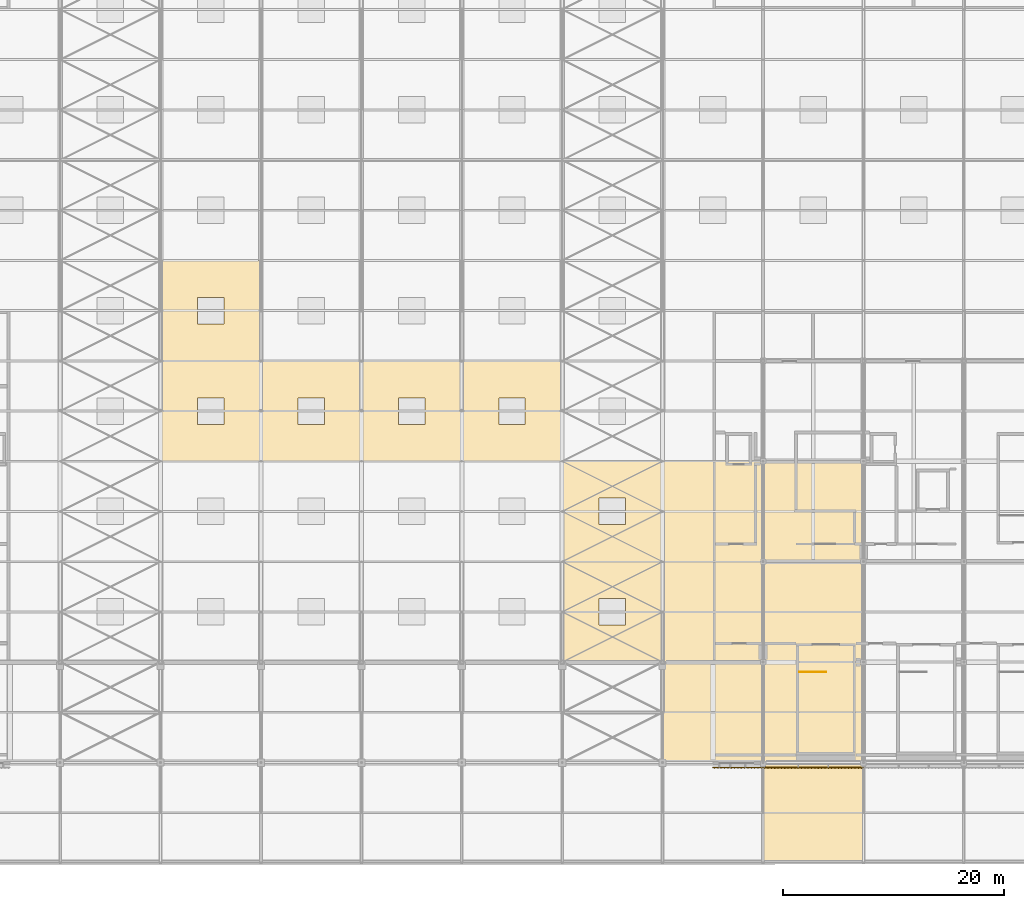
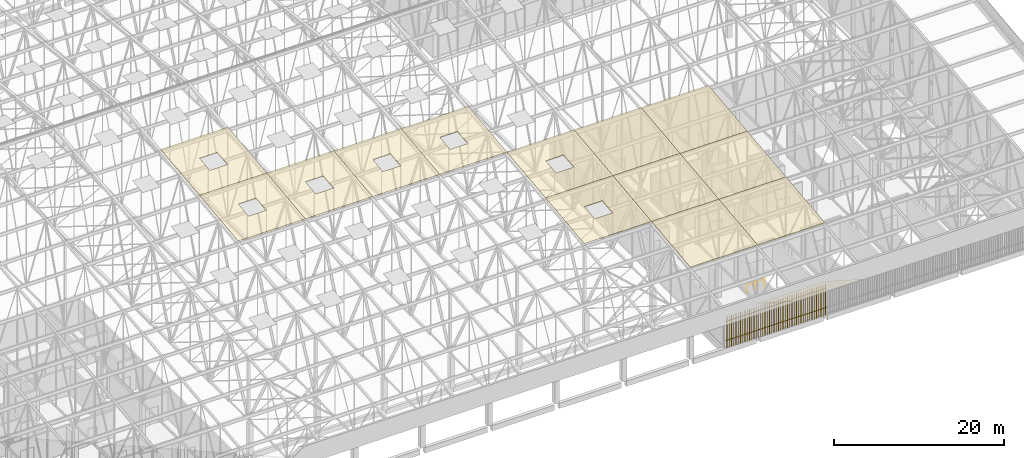
# One storey, part 468 of 500: 14 coverings, 2 shading devices, 1 railing.
"""IFC4 building model written with IfcOpenShell, lengths in metres."""

from ifc_helpers import new_model, si_unit, direction, frame, origin, origin_2d, place, context, subcontext, project, spatial, polyline, rectangle, circle, outline, extrude, material, layer, layer_set, type_object, element, save


model = new_model("IFC4")

# Units and contexts
model_context = context("Model", 3, precision=1e-05, world=origin(), true_north=direction((0.0, 1.0)))
body_context = subcontext(model_context, "Body", "Model", "MODEL_VIEW")
ifc_project = project(units=[si_unit("LENGTHUNIT", "METRE"), si_unit("AREAUNIT", "SQUARE_METRE"), si_unit("VOLUMEUNIT", "CUBIC_METRE"), si_unit("PLANEANGLEUNIT", "RADIAN"), si_unit("MASSUNIT", "GRAM", prefix="KILO")], contexts=[model_context])

# Site, building, storey
site_placement = place(None, origin())
site = spatial("IfcSite", under=ifc_project, at=site_placement, CompositionType="ELEMENT")
building_placement = place(site_placement, origin())
building = spatial("IfcBuilding", under=site, at=building_placement, Name="Shirokan Park Arena", CompositionType="ELEMENT")
storey_placement = place(building_placement, frame((0.0, 0.0, 29.1201171875)))
storey = spatial("IfcBuildingStorey", under=building, at=storey_placement, Name="L06", CompositionType="ELEMENT", Elevation=29.1201171875)

# Coverings
ifc_material_1 = material(Name="Bituminous roofing membrane")
ifc_layer_1 = layer(ifc_material_1, 0.010009765625, Name="Bituminous roofing membrane")
ifc_material_2 = material(Name="Mineral wool insulation")
ifc_layer_2 = layer(ifc_material_2, 0.050048828125, Name="Mineral wool insulation")
ifc_layer_set_1 = layer_set([ifc_layer_1, ifc_layer_2], Name="Bituminous roofing membrane + Mineral wool insulation")
covering_type_1 = type_object("IfcCoveringType", Name="Roofing membrane 60", PredefinedType="ROOFING", material=ifc_layer_set_1)
covering_1_placement = place(storey_placement, frame((54.60009765625, 27.300048828125, 16.05078125), z_axis=(0.0, -0.113526293343, 0.993534992197), x_axis=(1.0, 0.0, 0.0)))
element("IfcCovering", 1, at=covering_1_placement, inside=storey, type_object=covering_type_1, Name="Roofing", PredefinedType="ROOFING", context=body_context, shape_type="SweptSolid", body=[
    extrude(outline(polyline([(0.0, 0.0), (9.099853515625, 0.0), (9.099853515625, 9.159066954957241), (0.0, 9.159066954957241), (0.0, 0.0)]), holes=[polyline([(5.75, 3.3716559706777867), (5.75, 5.787410984279455), (3.349853515625, 5.787410984279455), (3.349853515625, 3.3716559706777867), (5.75, 3.3716559706777867)])]), origin(), (0.0, 0.0, -1.0), 0.06005859375),
])
covering_2_placement = place(storey_placement, frame((54.60009765625, 36.39990234375, 17.090576171875), z_axis=(0.0, -0.113549598152, 0.993532328996), x_axis=(1.0, 0.0, 0.0)))
element("IfcCovering", 2, at=covering_2_placement, inside=storey, type_object=covering_type_1, Name="Roofing", PredefinedType="ROOFING", context=body_context, shape_type="SweptSolid", body=[
    extrude(outline(polyline([(0.0, 0.0), (9.099853515625, 0.0), (9.099853515625, 9.15933723611117), (0.0, 9.15933723611117), (0.0, 0.0)]), holes=[polyline([(5.75, 3.3719262543893525), (5.75, 5.787438703791679), (3.349853515625, 5.787438703791679), (3.349853515625, 3.3719262543893525), (5.75, 3.3719262543893525)])]), origin(), (0.0, 0.0, -1.0), 0.06005859375),
])
covering_3_placement = place(storey_placement, frame((63.699951171875, 27.300048828125, 16.05078125), z_axis=(0.0, -0.113526293343, 0.993534992197), x_axis=(1.0, 0.0, 0.0)))
element("IfcCovering", 3, at=covering_3_placement, inside=storey, type_object=covering_type_1, Name="Roofing", PredefinedType="ROOFING", context=body_context, shape_type="SweptSolid", body=[
    extrude(outline(polyline([(0.0, 0.0), (9.10009765625, 0.0), (9.10009765625, 9.159066954957241), (0.0, 9.159066954957241), (0.0, 0.0)]), holes=[polyline([(5.75, 3.371655970677786), (5.75, 5.787410984279454), (3.35009765625, 5.787410984279454), (3.35009765625, 3.371655970677786), (5.75, 3.371655970677786)])]), origin(), (0.0, 0.0, -1.0), 0.06005859375),
])
covering_4_placement = place(storey_placement, frame((72.800048828125, 27.300048828125, 16.05078125), z_axis=(0.0, -0.113526293343, 0.993534992197), x_axis=(1.0, 0.0, 0.0)))
element("IfcCovering", 4, at=covering_4_placement, inside=storey, type_object=covering_type_1, Name="Roofing", PredefinedType="ROOFING", context=body_context, shape_type="SweptSolid", body=[
    extrude(outline(polyline([(0.0, 0.0), (9.099853515625, 0.0), (9.099853515625, 9.159066954957241), (0.0, 9.159066954957241), (0.0, 0.0)]), holes=[polyline([(5.75, 3.3716559706777867), (5.75, 5.787410984279455), (3.349853515625, 5.787410984279455), (3.349853515625, 3.3716559706777867), (5.75, 3.3716559706777867)])]), origin(), (0.0, 0.0, -1.0), 0.06005859375),
])
covering_5_placement = place(storey_placement, frame((81.89990234375, 27.300048828125, 16.05078125), z_axis=(0.0, -0.113526293343, 0.993534992197), x_axis=(1.0, 0.0, 0.0)))
element("IfcCovering", 5, at=covering_5_placement, inside=storey, type_object=covering_type_1, Name="Roofing", PredefinedType="ROOFING", context=body_context, shape_type="SweptSolid", body=[
    extrude(outline(polyline([(0.0, 0.0), (9.10009765625, 0.0), (9.10009765625, 9.159066954957241), (0.0, 9.159066954957241), (0.0, 0.0)]), holes=[polyline([(5.75, 3.371655970677786), (5.75, 5.787410984279454), (3.35009765625, 5.787410984279454), (3.35009765625, 3.371655970677786), (5.75, 3.371655970677786)])]), origin(), (0.0, 0.0, -1.0), 0.06005859375),
])
covering_6_placement = place(storey_placement, frame((91.0, 9.10009765625, 13.970703125), z_axis=(0.0, -0.113552605302, 0.993531985308), x_axis=(1.0, 0.0, 0.0)))
element("IfcCovering", 6, at=covering_6_placement, inside=storey, type_object=covering_type_1, Name="Roofing", PredefinedType="ROOFING", context=body_context, shape_type="SweptSolid", body=[
    extrude(outline(polyline([(0.0, 0.0), (9.10009765625, 0.0), (9.10009765625, 9.159094674549367), (0.0, 9.159094674549367), (0.0, 0.0)]), holes=[polyline([(5.75, 3.3716559705854974), (5.75, 5.78741098115984), (3.35009765625, 5.78741098115984), (3.35009765625, 3.3716559705854974), (5.75, 3.3716559705854974)])]), origin(), (0.0, 0.0, -1.0), 0.06005859375),
])
covering_7_placement = place(storey_placement, frame((91.0, 18.199951171875, 15.0107421875), z_axis=(0.0, -0.113549598152, 0.993532328996), x_axis=(1.0, 0.0, 0.0)))
element("IfcCovering", 7, at=covering_7_placement, inside=storey, type_object=covering_type_1, Name="Roofing", PredefinedType="ROOFING", context=body_context, shape_type="SweptSolid", body=[
    extrude(outline(polyline([(0.0, 0.0), (9.10009765625, 0.0), (9.10009765625, 9.15933723611117), (0.0, 9.15933723611117), (0.0, 0.0)]), holes=[polyline([(5.75, 3.3718985323194914), (5.75, 5.787410981721819), (3.35009765625, 5.787410981721819), (3.35009765625, 3.3718985323194914), (5.75, 3.3718985323194914)])]), origin(), (0.0, 0.0, -1.0), 0.06005859375),
])
covering_8_placement = place(storey_placement, frame((100.10009765625, 0.0, 12.9306640625), z_axis=(0.0, -0.113549598152, 0.993532328996), x_axis=(1.0, 0.0, 0.0)))
element("IfcCovering", 8, at=covering_8_placement, inside=storey, type_object=covering_type_1, Name="Roofing", PredefinedType="ROOFING", context=body_context, shape_type="SweptSolid", body=[
    extrude(outline(polyline([(0.0, 0.0), (9.099853515625, 0.0), (9.099853515625, 9.15933723611117), (0.0, 9.15933723611117), (0.0, 0.0)])), origin(), (0.0, 0.0, -1.0), 0.06005859375),
])
covering_9_placement = place(storey_placement, frame((100.10009765625, 9.10009765625, 13.970703125), z_axis=(0.0, -0.113552605302, 0.993531985308), x_axis=(1.0, 0.0, 0.0)))
element("IfcCovering", 9, at=covering_9_placement, inside=storey, type_object=covering_type_1, Name="Roofing", PredefinedType="ROOFING", context=body_context, shape_type="SweptSolid", body=[
    extrude(outline(polyline([(0.0, 0.0), (9.099853515625, 0.0), (9.099853515625, 9.159094674549365), (0.0, 9.159094674549365), (0.0, 0.0)])), origin(), (0.0, 0.0, -1.0), 0.06005859375),
])
covering_10_placement = place(storey_placement, frame((100.10009765625, 18.199951171875, 15.0107421875), z_axis=(0.0, -0.113549598152, 0.993532328996), x_axis=(1.0, 0.0, 0.0)))
element("IfcCovering", 10, at=covering_10_placement, inside=storey, type_object=covering_type_1, Name="Roofing", PredefinedType="ROOFING", context=body_context, shape_type="SweptSolid", body=[
    extrude(outline(polyline([(0.0, 0.0), (9.099853515625, 0.0), (9.099853515625, 9.15933723611117), (0.0, 9.15933723611117), (0.0, 0.0)])), origin(), (0.0, 0.0, -1.0), 0.06005859375),
])
covering_11_placement = place(storey_placement, frame((109.199951171875, 0.0, 12.9306640625), z_axis=(0.0, -0.113549598152, 0.993532328996), x_axis=(1.0, 0.0, 0.0)))
element("IfcCovering", 11, at=covering_11_placement, inside=storey, type_object=covering_type_1, Name="Roofing", PredefinedType="ROOFING", context=body_context, shape_type="SweptSolid", body=[
    extrude(outline(polyline([(0.0, 0.0), (9.10009765625, 0.0), (9.10009765625, 9.15933723611117), (0.0, 9.15933723611117), (0.0, 0.0)])), origin(), (0.0, 0.0, -1.0), 0.06005859375),
])
covering_12_placement = place(storey_placement, frame((109.199951171875, 9.10009765625, 13.970703125), z_axis=(0.0, -0.113552605302, 0.993531985308), x_axis=(1.0, 0.0, 0.0)))
element("IfcCovering", 12, at=covering_12_placement, inside=storey, type_object=covering_type_1, Name="Roofing", PredefinedType="ROOFING", context=body_context, shape_type="SweptSolid", body=[
    extrude(outline(polyline([(0.0, 0.0), (9.10009765625, 0.0), (9.10009765625, 9.159094674549367), (0.0, 9.159094674549367), (0.0, 0.0)])), origin(), (0.0, 0.0, -1.0), 0.06005859375),
])
covering_13_placement = place(storey_placement, frame((109.199951171875, 18.199951171875, 15.0107421875), z_axis=(0.0, -0.113549598152, 0.993532328996), x_axis=(1.0, 0.0, 0.0)))
element("IfcCovering", 13, at=covering_13_placement, inside=storey, type_object=covering_type_1, Name="Roofing", PredefinedType="ROOFING", context=body_context, shape_type="SweptSolid", body=[
    extrude(outline(polyline([(0.0, 0.0), (9.10009765625, 0.0), (9.10009765625, 9.15933723611117), (0.0, 9.15933723611117), (0.0, 0.0)])), origin(), (0.0, 0.0, -1.0), 0.06005859375),
])

# Railing
ifc_material_3 = material(Name="Stainless steel", Category="steel")
railing_type = type_object("IfcRailingType", Name="Stair well guard 1100", PredefinedType="GUARDRAIL", material=ifc_material_3)
railing_placement = place(storey_placement, frame((112.5, 8.199951171875, 0.0)))
element("IfcRailing", 14, at=railing_placement, inside=storey, type_object=railing_type, Name="Guard Exit Stair 2.D L06", PredefinedType="GUARDRAIL", context=body_context, shape_type="SweptSolid", body=[
    extrude(circle(Radius=0.02490234375, at=origin_2d()), frame((0.0, 0.0, 1.0771484375), z_axis=(1.0, 0.0, 0.0), x_axis=(0.0, 1.0, 0.0)), (0.0, 0.0, 1.0), 2.39990234375),
    extrude(circle(Radius=0.02490234375, at=origin_2d()), origin(), (0.0, 0.0, 1.0), 1.052001953125),
    extrude(circle(Radius=0.02490234375, at=origin_2d()), frame((1.199951171875, 0.0, 0.0)), (0.0, 0.0, 1.0), 1.052001953125),
    extrude(circle(Radius=0.02490234375, at=origin_2d()), frame((2.39990234375, 0.0, 0.0)), (0.0, 0.0, 1.0), 1.052001953125),
])

# Covering
ifc_material_4 = material(Name="Timber soffit boards (cedar)", Category="wood")
ifc_layer_3 = layer(ifc_material_4, 0.030029296875)
ifc_layer_set_2 = layer_set([ifc_layer_3], Name="Timber soffit boards (cedar) 30 mm")
covering_type_2 = type_object("IfcCoveringType", Name="Timber boarded soffit panel", PredefinedType="CLADDING", material=ifc_layer_set_2)
covering_14_placement = place(storey_placement, origin())
element("IfcCovering", 15, at=covering_14_placement, inside=storey, type_object=covering_type_2, Name="Eave soffit south bay 13", PredefinedType="CLADDING", context=body_context, shape_type="SweptSolid", body=[
    extrude(outline(polyline([(0.0, 0.0), (0.14269332184794056, 0.0), (0.14269332184794056, -9.099999999999996), (0.0, -9.099999999999996), (0.0, 0.0)])), frame((118.300048828125, -8.97998046875, 10.3037109375), z_axis=(0.0, 0.541090493936, 0.840964373427), x_axis=(0.0, -0.840964373427, 0.541090493936)), (0.0, 0.0, -1.0), 0.030029296875),
    extrude(outline(polyline([(0.0, 0.0), (0.1426933218479412, 0.0), (0.1426933218479412, -9.099999999999994), (0.0, -9.099999999999994), (0.0, 0.0)])), frame((109.199951171875, -0.1201171875, 4.60302734375), z_axis=(0.0, 0.541090493936, 0.840964373427), x_axis=(0.0, 0.840964373427, -0.541090493936)), (0.0, 0.0, -1.0), 0.030029296875),
    extrude(outline(polyline([(0.0, 0.0), (0.11999999999999034, 0.0), (0.11999999999999034, -10.535473996759707), (0.0, -10.535473996759707), (0.0, 0.0)])), frame((118.300048828125, -8.97998046875, 10.3037109375), z_axis=(0.0, 0.541084340558, 0.84096833258), x_axis=(-1.0, 0.0, 0.0)), (0.0, 0.0, -1.0), 0.030029296875),
    extrude(outline(polyline([(0.0, 0.0), (0.11999999999999034, 0.0), (0.11999999999999034, -10.535473996759707), (0.0, -10.535473996759707), (0.0, 0.0)])), frame((109.199951171875, -0.1201171875, 4.60302734375), z_axis=(0.0, 0.541084340558, 0.84096833258), x_axis=(1.0, 0.0, 0.0)), (0.0, 0.0, -1.0), 0.030029296875),
    extrude(outline(polyline([(0.0, 0.0), (10.535473996759707, 0.0), (10.535473996759707, -0.1833300000000122), (0.0, -0.1833300000000122), (0.0, 0.0)])), frame((109.320068359375, -8.97998046875, 10.3037109375), z_axis=(0.0, 0.541084340558, 0.84096833258), x_axis=(0.0, 0.84096833258, -0.541084340558)), (0.0, 0.0, -1.0), 0.030029296875),
    extrude(outline(polyline([(0.0, 0.0), (10.535473996759707, 0.0), (10.535473996759707, -0.3033399999999915), (0.0, -0.3033399999999915), (0.0, 0.0)])), frame((109.50341796875, -8.97998046875, 10.3037109375), z_axis=(0.0, 0.541084340558, 0.84096833258), x_axis=(0.0, 0.84096833258, -0.541084340558)), (0.0, 0.0, -1.0), 0.030029296875),
    extrude(outline(polyline([(0.0, 0.0), (10.535473996759709, 0.0), (10.535473996759709, -0.30333000000000254), (0.0, -0.30333000000000254), (0.0, 0.0)])), frame((109.806640625, -8.97998046875, 10.3037109375), z_axis=(0.0, 0.541084340558, 0.84096833258), x_axis=(0.0, 0.84096833258, -0.541084340558)), (0.0, 0.0, -1.0), 0.030029296875),
    extrude(outline(polyline([(0.0, 0.0), (10.535473996759709, 0.0), (10.535473996759709, -0.3033300000000026), (0.0, -0.3033300000000026), (0.0, 0.0)])), frame((110.110107421875, -8.97998046875, 10.3037109375), z_axis=(0.0, 0.541084340558, 0.84096833258), x_axis=(0.0, 0.84096833258, -0.541084340558)), (0.0, 0.0, -1.0), 0.030029296875),
    extrude(outline(polyline([(0.0, 0.0), (10.535473996759707, 0.0), (10.535473996759707, -0.3033399999999915), (0.0, -0.3033399999999915), (0.0, 0.0)])), frame((110.413330078125, -8.97998046875, 10.3037109375), z_axis=(0.0, 0.541084340558, 0.84096833258), x_axis=(0.0, 0.84096833258, -0.541084340558)), (0.0, 0.0, -1.0), 0.030029296875),
    extrude(outline(polyline([(0.0, 0.0), (10.535473996759709, 0.0), (10.535473996759709, -0.30333000000000254), (0.0, -0.30333000000000254), (0.0, 0.0)])), frame((110.716552734375, -8.97998046875, 10.3037109375), z_axis=(0.0, 0.541084340558, 0.84096833258), x_axis=(0.0, 0.84096833258, -0.541084340558)), (0.0, 0.0, -1.0), 0.030029296875),
    extrude(outline(polyline([(0.0, 0.0), (10.535473996759709, 0.0), (10.535473996759709, -0.30333000000000254), (0.0, -0.30333000000000254), (0.0, 0.0)])), frame((111.02001953125, -8.97998046875, 10.3037109375), z_axis=(0.0, 0.541084340558, 0.84096833258), x_axis=(0.0, 0.84096833258, -0.541084340558)), (0.0, 0.0, -1.0), 0.030029296875),
    extrude(outline(polyline([(0.0, 0.0), (10.535473996759707, 0.0), (10.535473996759707, -0.3033400000000057), (0.0, -0.3033400000000057), (0.0, 0.0)])), frame((111.3232421875, -8.97998046875, 10.3037109375), z_axis=(0.0, 0.541084340558, 0.84096833258), x_axis=(0.0, 0.84096833258, -0.541084340558)), (0.0, 0.0, -1.0), 0.030029296875),
    extrude(outline(polyline([(0.0, 0.0), (10.535473996759709, 0.0), (10.535473996759709, -0.3033300000000026), (0.0, -0.3033300000000026), (0.0, 0.0)])), frame((111.626708984375, -8.97998046875, 10.3037109375), z_axis=(0.0, 0.541084340558, 0.84096833258), x_axis=(0.0, 0.84096833258, -0.541084340558)), (0.0, 0.0, -1.0), 0.030029296875),
    extrude(outline(polyline([(0.0, 0.0), (10.535473996759707, 0.0), (10.535473996759707, -0.30332999999998833), (0.0, -0.30332999999998833), (0.0, 0.0)])), frame((111.929931640625, -8.97998046875, 10.3037109375), z_axis=(0.0, 0.541084340558, 0.84096833258), x_axis=(0.0, 0.84096833258, -0.541084340558)), (0.0, 0.0, -1.0), 0.030029296875),
    extrude(outline(polyline([(0.0, 0.0), (10.535473996759707, 0.0), (10.535473996759707, -0.3033400000000057), (0.0, -0.3033400000000057), (0.0, 0.0)])), frame((112.2333984375, -8.97998046875, 10.3037109375), z_axis=(0.0, 0.541084340558, 0.84096833258), x_axis=(0.0, 0.84096833258, -0.541084340558)), (0.0, 0.0, -1.0), 0.030029296875),
    extrude(outline(polyline([(0.0, 0.0), (10.535473996759709, 0.0), (10.535473996759709, -0.30333000000000254), (0.0, -0.30333000000000254), (0.0, 0.0)])), frame((112.53662109375, -8.97998046875, 10.3037109375), z_axis=(0.0, 0.541084340558, 0.84096833258), x_axis=(0.0, 0.84096833258, -0.541084340558)), (0.0, 0.0, -1.0), 0.030029296875),
    extrude(outline(polyline([(0.0, 0.0), (10.535473996759709, 0.0), (10.535473996759709, -0.3033300000000026), (0.0, -0.3033300000000026), (0.0, 0.0)])), frame((112.840087890625, -8.97998046875, 10.3037109375), z_axis=(0.0, 0.541084340558, 0.84096833258), x_axis=(0.0, 0.84096833258, -0.541084340558)), (0.0, 0.0, -1.0), 0.030029296875),
    extrude(outline(polyline([(0.0, 0.0), (10.535473996759707, 0.0), (10.535473996759707, -0.3033399999999915), (0.0, -0.3033399999999915), (0.0, 0.0)])), frame((113.143310546875, -8.97998046875, 10.3037109375), z_axis=(0.0, 0.541084340558, 0.84096833258), x_axis=(0.0, 0.84096833258, -0.541084340558)), (0.0, 0.0, -1.0), 0.030029296875),
    extrude(outline(polyline([(0.0, 0.0), (10.535473996759709, 0.0), (10.535473996759709, -0.30333000000000254), (0.0, -0.30333000000000254), (0.0, 0.0)])), frame((113.44677734375, -8.97998046875, 10.3037109375), z_axis=(0.0, 0.541084340558, 0.84096833258), x_axis=(0.0, 0.84096833258, -0.541084340558)), (0.0, 0.0, -1.0), 0.030029296875),
    extrude(outline(polyline([(0.0, 0.0), (10.535473996759709, 0.0), (10.535473996759709, -0.3033300000000026), (0.0, -0.3033300000000026), (0.0, 0.0)])), frame((113.75, -8.97998046875, 10.3037109375), z_axis=(0.0, 0.541084340558, 0.84096833258), x_axis=(0.0, 0.84096833258, -0.541084340558)), (0.0, 0.0, -1.0), 0.030029296875),
    extrude(outline(polyline([(0.0, 0.0), (10.535473996759707, 0.0), (10.535473996759707, -0.3033399999999915), (0.0, -0.3033399999999915), (0.0, 0.0)])), frame((114.05322265625, -8.97998046875, 10.3037109375), z_axis=(0.0, 0.541084340558, 0.84096833258), x_axis=(0.0, 0.84096833258, -0.541084340558)), (0.0, 0.0, -1.0), 0.030029296875),
    extrude(outline(polyline([(0.0, 0.0), (10.535473996759709, 0.0), (10.535473996759709, -0.30333000000000254), (0.0, -0.30333000000000254), (0.0, 0.0)])), frame((114.356689453125, -8.97998046875, 10.3037109375), z_axis=(0.0, 0.541084340558, 0.84096833258), x_axis=(0.0, 0.84096833258, -0.541084340558)), (0.0, 0.0, -1.0), 0.030029296875),
    extrude(outline(polyline([(0.0, 0.0), (10.535473996759709, 0.0), (10.535473996759709, -0.30333000000000254), (0.0, -0.30333000000000254), (0.0, 0.0)])), frame((114.659912109375, -8.97998046875, 10.3037109375), z_axis=(0.0, 0.541084340558, 0.84096833258), x_axis=(0.0, 0.84096833258, -0.541084340558)), (0.0, 0.0, -1.0), 0.030029296875),
    extrude(outline(polyline([(0.0, 0.0), (10.535473996759707, 0.0), (10.535473996759707, -0.3033400000000057), (0.0, -0.3033400000000057), (0.0, 0.0)])), frame((114.96337890625, -8.97998046875, 10.3037109375), z_axis=(0.0, 0.541084340558, 0.84096833258), x_axis=(0.0, 0.84096833258, -0.541084340558)), (0.0, 0.0, -1.0), 0.030029296875),
    extrude(outline(polyline([(0.0, 0.0), (10.535473996759707, 0.0), (10.535473996759707, -0.30332999999998833), (0.0, -0.30332999999998833), (0.0, 0.0)])), frame((115.2666015625, -8.97998046875, 10.3037109375), z_axis=(0.0, 0.541084340558, 0.84096833258), x_axis=(0.0, 0.84096833258, -0.541084340558)), (0.0, 0.0, -1.0), 0.030029296875),
    extrude(outline(polyline([(0.0, 0.0), (10.535473996759709, 0.0), (10.535473996759709, -0.30333000000000254), (0.0, -0.30333000000000254), (0.0, 0.0)])), frame((115.570068359375, -8.97998046875, 10.3037109375), z_axis=(0.0, 0.541084340558, 0.84096833258), x_axis=(0.0, 0.84096833258, -0.541084340558)), (0.0, 0.0, -1.0), 0.030029296875),
    extrude(outline(polyline([(0.0, 0.0), (10.535473996759707, 0.0), (10.535473996759707, -0.3033400000000057), (0.0, -0.3033400000000057), (0.0, 0.0)])), frame((115.873291015625, -8.97998046875, 10.3037109375), z_axis=(0.0, 0.541084340558, 0.84096833258), x_axis=(0.0, 0.84096833258, -0.541084340558)), (0.0, 0.0, -1.0), 0.030029296875),
    extrude(outline(polyline([(0.0, 0.0), (10.535473996759709, 0.0), (10.535473996759709, -0.30333000000000254), (0.0, -0.30333000000000254), (0.0, 0.0)])), frame((116.1767578125, -8.97998046875, 10.3037109375), z_axis=(0.0, 0.541084340558, 0.84096833258), x_axis=(0.0, 0.84096833258, -0.541084340558)), (0.0, 0.0, -1.0), 0.030029296875),
    extrude(outline(polyline([(0.0, 0.0), (10.535473996759709, 0.0), (10.535473996759709, -0.3033300000000026), (0.0, -0.3033300000000026), (0.0, 0.0)])), frame((116.47998046875, -8.97998046875, 10.3037109375), z_axis=(0.0, 0.541084340558, 0.84096833258), x_axis=(0.0, 0.84096833258, -0.541084340558)), (0.0, 0.0, -1.0), 0.030029296875),
    extrude(outline(polyline([(0.0, 0.0), (10.535473996759707, 0.0), (10.535473996759707, -0.3033399999999915), (0.0, -0.3033399999999915), (0.0, 0.0)])), frame((116.783447265625, -8.97998046875, 10.3037109375), z_axis=(0.0, 0.541084340558, 0.84096833258), x_axis=(0.0, 0.84096833258, -0.541084340558)), (0.0, 0.0, -1.0), 0.030029296875),
    extrude(outline(polyline([(0.0, 0.0), (10.535473996759709, 0.0), (10.535473996759709, -0.30333000000000254), (0.0, -0.30333000000000254), (0.0, 0.0)])), frame((117.086669921875, -8.97998046875, 10.3037109375), z_axis=(0.0, 0.541084340558, 0.84096833258), x_axis=(0.0, 0.84096833258, -0.541084340558)), (0.0, 0.0, -1.0), 0.030029296875),
    extrude(outline(polyline([(0.0, 0.0), (10.535473996759709, 0.0), (10.535473996759709, -0.30333000000000254), (0.0, -0.30333000000000254), (0.0, 0.0)])), frame((117.389892578125, -8.97998046875, 10.3037109375), z_axis=(0.0, 0.541084340558, 0.84096833258), x_axis=(0.0, 0.84096833258, -0.541084340558)), (0.0, 0.0, -1.0), 0.030029296875),
    extrude(outline(polyline([(0.0, 0.0), (10.535473996759707, 0.0), (10.535473996759707, -0.3033399999999915), (0.0, -0.3033399999999915), (0.0, 0.0)])), frame((117.693359375, -8.97998046875, 10.3037109375), z_axis=(0.0, 0.541084340558, 0.84096833258), x_axis=(0.0, 0.84096833258, -0.541084340558)), (0.0, 0.0, -1.0), 0.030029296875),
    extrude(outline(polyline([(0.0, 0.0), (10.535473996759707, 0.0), (10.535473996759707, -0.1833300000000122), (0.0, -0.1833300000000122), (0.0, 0.0)])), frame((117.99658203125, -8.97998046875, 10.3037109375), z_axis=(0.0, 0.541084340558, 0.84096833258), x_axis=(0.0, 0.84096833258, -0.541084340558)), (0.0, 0.0, -1.0), 0.030029296875),
])

# Shading devices
ifc_material_5 = material(Name="Timber louvre veil (cedar)", Category="wood")
shading_device_type = type_object("IfcShadingDeviceType", Name="Timber louvre veil panel", PredefinedType="JALOUSIE", material=ifc_material_5)
shading_device_1_placement = place(storey_placement, origin())
element("IfcShadingDevice", 16, at=shading_device_1_placement, inside=storey, type_object=shading_device_type, Name="Timber louvre veil south bay 12 L06", PredefinedType="JALOUSIE", context=body_context, shape_type="SweptSolid", body=[
    extrude(rectangle(XDim=0.050048828125, YDim=0.080078125, at=origin_2d()), frame((104.8017578125, -0.485107421875, 0.0), z_axis=(0.0, 0.0, 1.0), x_axis=(1.0, 0.0, 0.0)), (0.0, 0.0, 1.0), 4.5),
    extrude(rectangle(XDim=0.050048828125, YDim=0.080078125, at=origin_2d()), frame((105.10498046875, -0.485107421875, 0.0), z_axis=(0.0, 0.0, 1.0), x_axis=(1.0, 0.0, 0.0)), (0.0, 0.0, 1.0), 4.5),
    extrude(rectangle(XDim=0.050048828125, YDim=0.080078125, at=origin_2d()), frame((105.408447265625, -0.485107421875, 0.0), z_axis=(0.0, 0.0, 1.0), x_axis=(1.0, 0.0, 0.0)), (0.0, 0.0, 1.0), 4.5),
    extrude(rectangle(XDim=0.050048828125, YDim=0.080078125, at=origin_2d()), frame((105.711669921875, -0.485107421875, 0.0), z_axis=(0.0, 0.0, 1.0), x_axis=(1.0, 0.0, 0.0)), (0.0, 0.0, 1.0), 4.5),
    extrude(rectangle(XDim=0.050048828125, YDim=0.080078125, at=origin_2d()), frame((106.014892578125, -0.485107421875, 0.0), z_axis=(0.0, 0.0, 1.0), x_axis=(1.0, 0.0, 0.0)), (0.0, 0.0, 1.0), 4.5),
    extrude(rectangle(XDim=0.050048828125, YDim=0.080078125, at=origin_2d()), frame((106.318359375, -0.485107421875, 0.0), z_axis=(0.0, 0.0, 1.0), x_axis=(1.0, 0.0, 0.0)), (0.0, 0.0, 1.0), 4.5),
    extrude(rectangle(XDim=0.050048828125, YDim=0.080078125, at=origin_2d()), frame((106.62158203125, -0.485107421875, 0.0), z_axis=(0.0, 0.0, 1.0), x_axis=(1.0, 0.0, 0.0)), (0.0, 0.0, 1.0), 4.5),
    extrude(rectangle(XDim=0.050048828125, YDim=0.080078125, at=origin_2d()), frame((106.925048828125, -0.485107421875, 0.0), z_axis=(0.0, 0.0, 1.0), x_axis=(1.0, 0.0, 0.0)), (0.0, 0.0, 1.0), 4.5),
    extrude(rectangle(XDim=0.050048828125, YDim=0.080078125, at=origin_2d()), frame((107.228271484375, -0.485107421875, 0.0), z_axis=(0.0, 0.0, 1.0), x_axis=(1.0, 0.0, 0.0)), (0.0, 0.0, 1.0), 4.5),
    extrude(rectangle(XDim=0.050048828125, YDim=0.080078125, at=origin_2d()), frame((107.53173828125, -0.485107421875, 0.0), z_axis=(0.0, 0.0, 1.0), x_axis=(1.0, 0.0, 0.0)), (0.0, 0.0, 1.0), 4.5),
    extrude(rectangle(XDim=0.050048828125, YDim=0.080078125, at=origin_2d()), frame((107.8349609375, -0.485107421875, 0.0), z_axis=(0.0, 0.0, 1.0), x_axis=(1.0, 0.0, 0.0)), (0.0, 0.0, 1.0), 4.5),
    extrude(rectangle(XDim=0.050048828125, YDim=0.080078125, at=origin_2d()), frame((108.138427734375, -0.485107421875, 0.0), z_axis=(0.0, 0.0, 1.0), x_axis=(1.0, 0.0, 0.0)), (0.0, 0.0, 1.0), 4.5),
    extrude(rectangle(XDim=0.050048828125, YDim=0.080078125, at=origin_2d()), frame((108.441650390625, -0.485107421875, 0.0), z_axis=(0.0, 0.0, 1.0), x_axis=(1.0, 0.0, 0.0)), (0.0, 0.0, 1.0), 4.5),
    extrude(rectangle(XDim=0.050048828125, YDim=0.080078125, at=origin_2d()), frame((108.7451171875, -0.485107421875, 0.0), z_axis=(0.0, 0.0, 1.0), x_axis=(1.0, 0.0, 0.0)), (0.0, 0.0, 1.0), 4.5),
    extrude(rectangle(XDim=0.050048828125, YDim=0.080078125, at=origin_2d()), frame((109.04833984375, -0.485107421875, 0.0), z_axis=(0.0, 0.0, 1.0), x_axis=(1.0, 0.0, 0.0)), (0.0, 0.0, 1.0), 4.5),
    extrude(rectangle(XDim=4.550048828125, YDim=0.050048828125, at=origin_2d()), frame((106.925048828125, -0.469970703125, 1.059814453125), z_axis=(0.0, 0.0, 1.0), x_axis=(1.0, 0.0, 0.0)), (0.0, 0.0, 1.0), 0.080078125),
    extrude(rectangle(XDim=4.550048828125, YDim=0.050048828125, at=origin_2d()), frame((106.925048828125, -0.469970703125, 3.809814453125), z_axis=(0.0, 0.0, 1.0), x_axis=(1.0, 0.0, 0.0)), (0.0, 0.0, 1.0), 0.080078125),
])
shading_device_2_placement = place(storey_placement, origin())
element("IfcShadingDevice", 17, at=shading_device_2_placement, inside=storey, type_object=shading_device_type, Name="Timber louvre veil south bay 13 L06", PredefinedType="JALOUSIE", context=body_context, shape_type="SweptSolid", body=[
    extrude(rectangle(XDim=0.050048828125, YDim=0.080078125, at=origin_2d()), frame((109.3515625, -0.485107421875, 0.0), z_axis=(0.0, 0.0, 1.0), x_axis=(1.0, 0.0, 0.0)), (0.0, 0.0, 1.0), 4.5),
    extrude(rectangle(XDim=0.050048828125, YDim=0.080078125, at=origin_2d()), frame((109.655029296875, -0.485107421875, 0.0), z_axis=(0.0, 0.0, 1.0), x_axis=(1.0, 0.0, 0.0)), (0.0, 0.0, 1.0), 4.5),
    extrude(rectangle(XDim=0.050048828125, YDim=0.080078125, at=origin_2d()), frame((109.958251953125, -0.485107421875, 0.0), z_axis=(0.0, 0.0, 1.0), x_axis=(1.0, 0.0, 0.0)), (0.0, 0.0, 1.0), 4.5),
    extrude(rectangle(XDim=0.050048828125, YDim=0.080078125, at=origin_2d()), frame((110.26171875, -0.485107421875, 0.0), z_axis=(0.0, 0.0, 1.0), x_axis=(1.0, 0.0, 0.0)), (0.0, 0.0, 1.0), 4.5),
    extrude(rectangle(XDim=0.050048828125, YDim=0.080078125, at=origin_2d()), frame((110.56494140625, -0.485107421875, 0.0), z_axis=(0.0, 0.0, 1.0), x_axis=(1.0, 0.0, 0.0)), (0.0, 0.0, 1.0), 4.5),
    extrude(rectangle(XDim=0.050048828125, YDim=0.080078125, at=origin_2d()), frame((110.868408203125, -0.485107421875, 0.0), z_axis=(0.0, 0.0, 1.0), x_axis=(1.0, 0.0, 0.0)), (0.0, 0.0, 1.0), 4.5),
    extrude(rectangle(XDim=0.050048828125, YDim=0.080078125, at=origin_2d()), frame((111.171630859375, -0.485107421875, 0.0), z_axis=(0.0, 0.0, 1.0), x_axis=(1.0, 0.0, 0.0)), (0.0, 0.0, 1.0), 4.5),
    extrude(rectangle(XDim=0.050048828125, YDim=0.080078125, at=origin_2d()), frame((111.47509765625, -0.485107421875, 0.0), z_axis=(0.0, 0.0, 1.0), x_axis=(1.0, 0.0, 0.0)), (0.0, 0.0, 1.0), 4.5),
    extrude(rectangle(XDim=0.050048828125, YDim=0.080078125, at=origin_2d()), frame((111.7783203125, -0.485107421875, 0.0), z_axis=(0.0, 0.0, 1.0), x_axis=(1.0, 0.0, 0.0)), (0.0, 0.0, 1.0), 4.5),
    extrude(rectangle(XDim=0.050048828125, YDim=0.080078125, at=origin_2d()), frame((112.081787109375, -0.485107421875, 0.0), z_axis=(0.0, 0.0, 1.0), x_axis=(1.0, 0.0, 0.0)), (0.0, 0.0, 1.0), 4.5),
    extrude(rectangle(XDim=0.050048828125, YDim=0.080078125, at=origin_2d()), frame((112.385009765625, -0.485107421875, 0.0), z_axis=(0.0, 0.0, 1.0), x_axis=(1.0, 0.0, 0.0)), (0.0, 0.0, 1.0), 4.5),
    extrude(rectangle(XDim=0.050048828125, YDim=0.080078125, at=origin_2d()), frame((112.688232421875, -0.485107421875, 0.0), z_axis=(0.0, 0.0, 1.0), x_axis=(1.0, 0.0, 0.0)), (0.0, 0.0, 1.0), 4.5),
    extrude(rectangle(XDim=0.050048828125, YDim=0.080078125, at=origin_2d()), frame((112.99169921875, -0.485107421875, 0.0), z_axis=(0.0, 0.0, 1.0), x_axis=(1.0, 0.0, 0.0)), (0.0, 0.0, 1.0), 4.5),
    extrude(rectangle(XDim=0.050048828125, YDim=0.080078125, at=origin_2d()), frame((113.294921875, -0.485107421875, 0.0), z_axis=(0.0, 0.0, 1.0), x_axis=(1.0, 0.0, 0.0)), (0.0, 0.0, 1.0), 4.5),
    extrude(rectangle(XDim=0.050048828125, YDim=0.080078125, at=origin_2d()), frame((113.598388671875, -0.485107421875, 0.0), z_axis=(0.0, 0.0, 1.0), x_axis=(1.0, 0.0, 0.0)), (0.0, 0.0, 1.0), 4.5),
    extrude(rectangle(XDim=0.050048828125, YDim=0.080078125, at=origin_2d()), frame((113.901611328125, -0.485107421875, 0.0), z_axis=(0.0, 0.0, 1.0), x_axis=(1.0, 0.0, 0.0)), (0.0, 0.0, 1.0), 4.5),
    extrude(rectangle(XDim=0.050048828125, YDim=0.080078125, at=origin_2d()), frame((114.205078125, -0.485107421875, 0.0), z_axis=(0.0, 0.0, 1.0), x_axis=(1.0, 0.0, 0.0)), (0.0, 0.0, 1.0), 4.5),
    extrude(rectangle(XDim=0.050048828125, YDim=0.080078125, at=origin_2d()), frame((114.50830078125, -0.485107421875, 0.0), z_axis=(0.0, 0.0, 1.0), x_axis=(1.0, 0.0, 0.0)), (0.0, 0.0, 1.0), 4.5),
    extrude(rectangle(XDim=0.050048828125, YDim=0.080078125, at=origin_2d()), frame((114.811767578125, -0.485107421875, 0.0), z_axis=(0.0, 0.0, 1.0), x_axis=(1.0, 0.0, 0.0)), (0.0, 0.0, 1.0), 4.5),
    extrude(rectangle(XDim=0.050048828125, YDim=0.080078125, at=origin_2d()), frame((115.114990234375, -0.485107421875, 0.0), z_axis=(0.0, 0.0, 1.0), x_axis=(1.0, 0.0, 0.0)), (0.0, 0.0, 1.0), 4.5),
    extrude(rectangle(XDim=0.050048828125, YDim=0.080078125, at=origin_2d()), frame((115.418212890625, -0.485107421875, 0.0), z_axis=(0.0, 0.0, 1.0), x_axis=(1.0, 0.0, 0.0)), (0.0, 0.0, 1.0), 4.5),
    extrude(rectangle(XDim=0.050048828125, YDim=0.080078125, at=origin_2d()), frame((115.7216796875, -0.485107421875, 0.0), z_axis=(0.0, 0.0, 1.0), x_axis=(1.0, 0.0, 0.0)), (0.0, 0.0, 1.0), 4.5),
    extrude(rectangle(XDim=0.050048828125, YDim=0.080078125, at=origin_2d()), frame((116.02490234375, -0.485107421875, 0.0), z_axis=(0.0, 0.0, 1.0), x_axis=(1.0, 0.0, 0.0)), (0.0, 0.0, 1.0), 4.5),
    extrude(rectangle(XDim=0.050048828125, YDim=0.080078125, at=origin_2d()), frame((116.328369140625, -0.485107421875, 0.0), z_axis=(0.0, 0.0, 1.0), x_axis=(1.0, 0.0, 0.0)), (0.0, 0.0, 1.0), 4.5),
    extrude(rectangle(XDim=0.050048828125, YDim=0.080078125, at=origin_2d()), frame((116.631591796875, -0.485107421875, 0.0), z_axis=(0.0, 0.0, 1.0), x_axis=(1.0, 0.0, 0.0)), (0.0, 0.0, 1.0), 4.5),
    extrude(rectangle(XDim=0.050048828125, YDim=0.080078125, at=origin_2d()), frame((116.93505859375, -0.485107421875, 0.0), z_axis=(0.0, 0.0, 1.0), x_axis=(1.0, 0.0, 0.0)), (0.0, 0.0, 1.0), 4.5),
    extrude(rectangle(XDim=0.050048828125, YDim=0.080078125, at=origin_2d()), frame((117.23828125, -0.485107421875, 0.0), z_axis=(0.0, 0.0, 1.0), x_axis=(1.0, 0.0, 0.0)), (0.0, 0.0, 1.0), 4.5),
    extrude(rectangle(XDim=0.050048828125, YDim=0.080078125, at=origin_2d()), frame((117.541748046875, -0.485107421875, 0.0), z_axis=(0.0, 0.0, 1.0), x_axis=(1.0, 0.0, 0.0)), (0.0, 0.0, 1.0), 4.5),
    extrude(rectangle(XDim=0.050048828125, YDim=0.080078125, at=origin_2d()), frame((117.844970703125, -0.485107421875, 0.0), z_axis=(0.0, 0.0, 1.0), x_axis=(1.0, 0.0, 0.0)), (0.0, 0.0, 1.0), 4.5),
    extrude(rectangle(XDim=0.050048828125, YDim=0.080078125, at=origin_2d()), frame((118.1484375, -0.485107421875, 0.0), z_axis=(0.0, 0.0, 1.0), x_axis=(1.0, 0.0, 0.0)), (0.0, 0.0, 1.0), 4.5),
    extrude(rectangle(XDim=9.10009765625, YDim=0.050048828125, at=origin_2d()), frame((113.75, -0.469970703125, 1.059814453125), z_axis=(0.0, 0.0, 1.0), x_axis=(1.0, 0.0, 0.0)), (0.0, 0.0, 1.0), 0.080078125),
    extrude(rectangle(XDim=9.10009765625, YDim=0.050048828125, at=origin_2d()), frame((113.75, -0.469970703125, 3.809814453125), z_axis=(0.0, 0.0, 1.0), x_axis=(1.0, 0.0, 0.0)), (0.0, 0.0, 1.0), 0.080078125),
])

save(model, "model.ifc")
